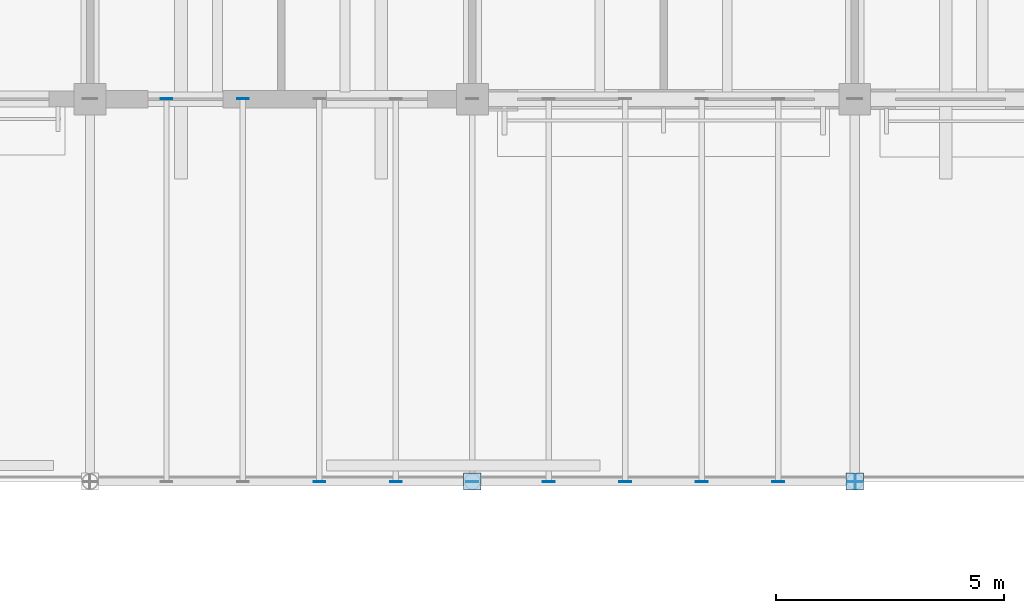
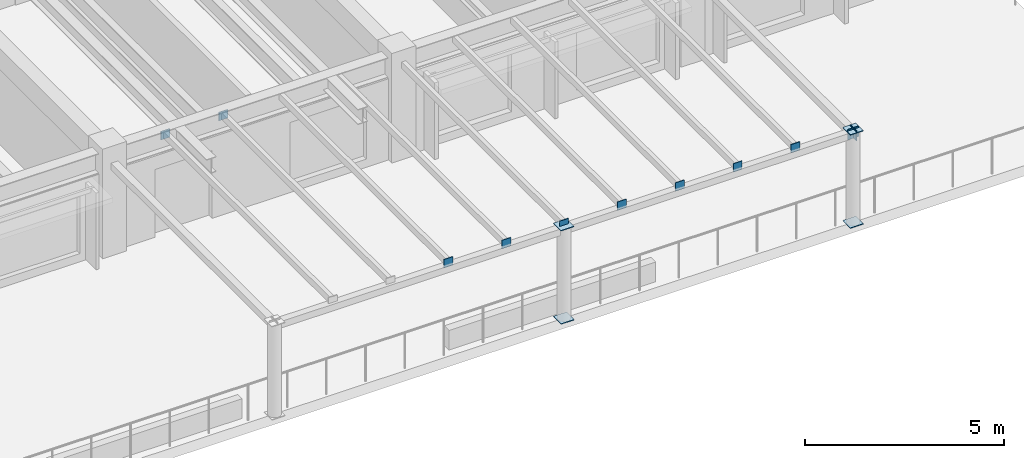
# One storey, part 74 of 111: 15 plates.
"""IFC4 building model written with IfcOpenShell, lengths in metres."""

from ifc_helpers import new_model, si_unit, direction, frame, origin, origin_2d, place, context, subcontext, project, spatial, rectangle, extrude, material, layer, layer_set, type_object, element, save


model = new_model("IFC4")

# Units and contexts
model_context = context("Model", 3, precision=1e-05, world=origin(), true_north=direction((0.0, 1.0)))
body_context = subcontext(model_context, "Body", "Model", "MODEL_VIEW")
ifc_project = project(units=[si_unit("LENGTHUNIT", "METRE"), si_unit("AREAUNIT", "SQUARE_METRE"), si_unit("VOLUMEUNIT", "CUBIC_METRE"), si_unit("PLANEANGLEUNIT", "RADIAN"), si_unit("MASSUNIT", "GRAM", prefix="KILO")], contexts=[model_context])

# Site, building, storey
site_placement = place(None, origin())
site = spatial("IfcSite", under=ifc_project, at=site_placement, CompositionType="ELEMENT")
building_placement = place(site_placement, origin())
building = spatial("IfcBuilding", under=site, at=building_placement, Name="Cumbredor Promenade Congress Hotel", CompositionType="ELEMENT")
storey_placement = place(building_placement, frame((0.0, 0.0, 15.1201171875)))
storey = spatial("IfcBuildingStorey", under=building, at=storey_placement, Name="L04", CompositionType="ELEMENT", Elevation=15.1201171875)

# Plates
ifc_material = material(Name="Steel ASTM A572 Grade 50", Category="steel")
ifc_layer_1 = layer(ifc_material, 0.02001953125, Name="Steel ASTM A572 Grade 50", Category="steel")
ifc_layer_set_1 = layer_set([ifc_layer_1], Name="Steel ASTM A572 Grade 50")
plate_type_1 = type_object("IfcPlateType", Name="Hollow Section End Cap Plate CP-04", PredefinedType="USERDEFINED", material=ifc_layer_set_1)
for number, where, z_axis, x_axis, name in (
    (1, (67.199951171875, 84.0, -0.01318359375), (0.0, 0.0, 1.0), (1.0, 0.0, 0.0), "L04 Sky-Garden Pergola Post 2.3 Start Cap Plate"),
    (2, (67.199951171875, 84.0, 2.847900390625), (0.0, 0.0, 1.0), (1.0, 0.0, 0.0), "L04 Sky-Garden Pergola Post 2.3 End Cap Plate"),
    (3, (75.60009765625, 84.0, -0.01318359375), (0.0, 0.0, 1.0), (1.0, 0.0, 0.0), "L04 Sky-Garden Pergola Post 2.5 Start Cap Plate"),
    (4, (75.60009765625, 84.0, 2.847900390625), (0.0, 0.0, 1.0), (1.0, 0.0, 0.0), "L04 Sky-Garden Pergola Post 2.5 End Cap Plate"),
):
    element("IfcPlate", number, at=place(storey_placement, frame(where, z_axis=z_axis, x_axis=x_axis)), inside=storey, type_object=plate_type_1, Name=name, ObjectType="CAP PLATE", PredefinedType="USERDEFINED", context=body_context, shape_type="SweptSolid", body=[
        extrude(rectangle(XDim=0.3798828125, YDim=0.3798828125, at=origin_2d()), origin(), (0.0, 0.0, 1.0), 0.02001953125),
    ])
ifc_layer_2 = layer(ifc_material, 0.02001953125, Name="Steel ASTM A572 Grade 50", Category="steel")
ifc_layer_set_2 = layer_set([ifc_layer_2], Name="Steel ASTM A572 Grade 50")
plate_type_2 = type_object("IfcPlateType", Name="Hollow Section End Cap Plate CP-05", PredefinedType="USERDEFINED", material=ifc_layer_set_2)
for number, where, z_axis, x_axis, name in (
    (5, (75.60791015625, 84.0, 2.58984375), (0.0, 0.0, 1.0), (1.0, 0.0, 0.0), "L04 Sky-Garden Pergola Tie Beam 2S End Cap Plate"),
    (6, (75.60009765625, 83.991943359375, 2.58984375), (0.0, 0.0, 1.0), (0.0, 1.0, 0.0), "L04 Sky-Garden Pergola Tie Beam 2E Start Cap Plate"),
):
    element("IfcPlate", number, at=place(storey_placement, frame(where, z_axis=z_axis, x_axis=x_axis)), inside=storey, type_object=plate_type_2, Name=name, ObjectType="CAP PLATE", PredefinedType="USERDEFINED", context=body_context, shape_type="SweptSolid", body=[
        extrude(rectangle(XDim=0.02001953125, YDim=0.320068359375, at=origin_2d()), origin(), (0.0, 0.0, 1.0), 0.320068359375),
    ])
ifc_layer_3 = layer(ifc_material, 0.02001953125, Name="Steel ASTM A572 Grade 50", Category="steel")
ifc_layer_set_3 = layer_set([ifc_layer_3], Name="Steel ASTM A572 Grade 50")
plate_type_3 = type_object("IfcPlateType", Name="Hollow Section End Cap Plate CP-06", PredefinedType="USERDEFINED", material=ifc_layer_set_3)
for number, where, z_axis, x_axis, name in (
    (7, (60.47998046875, 92.407958984375, 2.77001953125), (0.0, 0.0, 1.0), (0.0, 1.0, 0.0), "L04 Sky-Garden Trellis Slat 2.2 End Cap Plate"),
    (8, (62.159912109375, 92.407958984375, 2.77001953125), (0.0, 0.0, 1.0), (0.0, 1.0, 0.0), "L04 Sky-Garden Trellis Slat 2.3 End Cap Plate"),
    (9, (63.840087890625, 83.991943359375, 2.77001953125), (0.0, 0.0, 1.0), (0.0, 1.0, 0.0), "L04 Sky-Garden Trellis Slat 2.4 Start Cap Plate"),
    (10, (65.52001953125, 83.991943359375, 2.77001953125), (0.0, 0.0, 1.0), (0.0, 1.0, 0.0), "L04 Sky-Garden Trellis Slat 2.5 Start Cap Plate"),
    (11, (67.199951171875, 83.991943359375, 2.77001953125), (0.0, 0.0, 1.0), (0.0, 1.0, 0.0), "L04 Sky-Garden Trellis Slat 2.6 Start Cap Plate"),
    (12, (68.8798828125, 83.991943359375, 2.77001953125), (0.0, 0.0, 1.0), (0.0, 1.0, 0.0), "L04 Sky-Garden Trellis Slat 2.7 Start Cap Plate"),
    (13, (70.56005859375, 83.991943359375, 2.77001953125), (0.0, 0.0, 1.0), (0.0, 1.0, 0.0), "L04 Sky-Garden Trellis Slat 2.8 Start Cap Plate"),
    (14, (72.239990234375, 83.991943359375, 2.77001953125), (0.0, 0.0, 1.0), (0.0, 1.0, 0.0), "L04 Sky-Garden Trellis Slat 2.9 Start Cap Plate"),
    (15, (73.919921875, 83.991943359375, 2.77001953125), (0.0, 0.0, 1.0), (0.0, 1.0, 0.0), "L04 Sky-Garden Trellis Slat 2.10 Start Cap Plate"),
):
    element("IfcPlate", number, at=place(storey_placement, frame(where, z_axis=z_axis, x_axis=x_axis)), inside=storey, type_object=plate_type_3, Name=name, ObjectType="CAP PLATE", PredefinedType="USERDEFINED", context=body_context, shape_type="SweptSolid", body=[
        extrude(rectangle(XDim=0.02001953125, YDim=0.260009765625, at=origin_2d()), origin(), (0.0, 0.0, 1.0), 0.260009765625),
    ])

save(model, "model.ifc")
